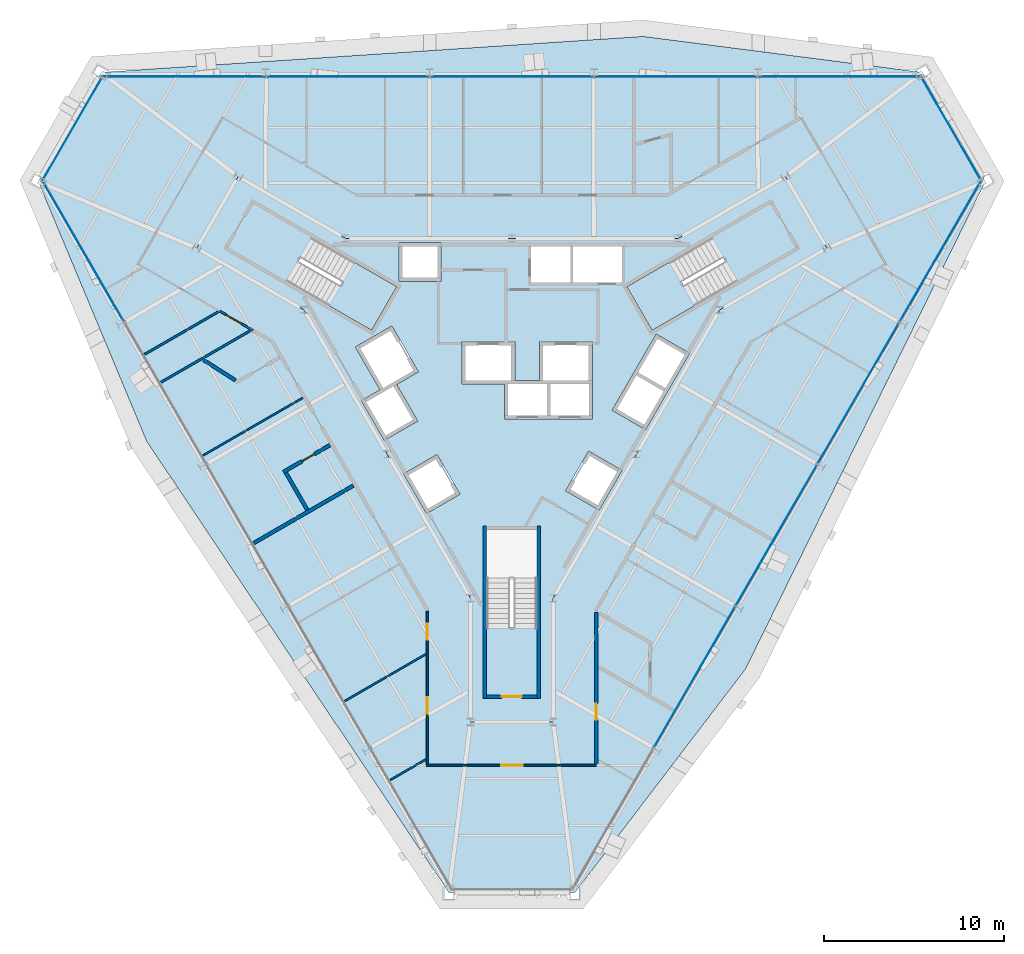
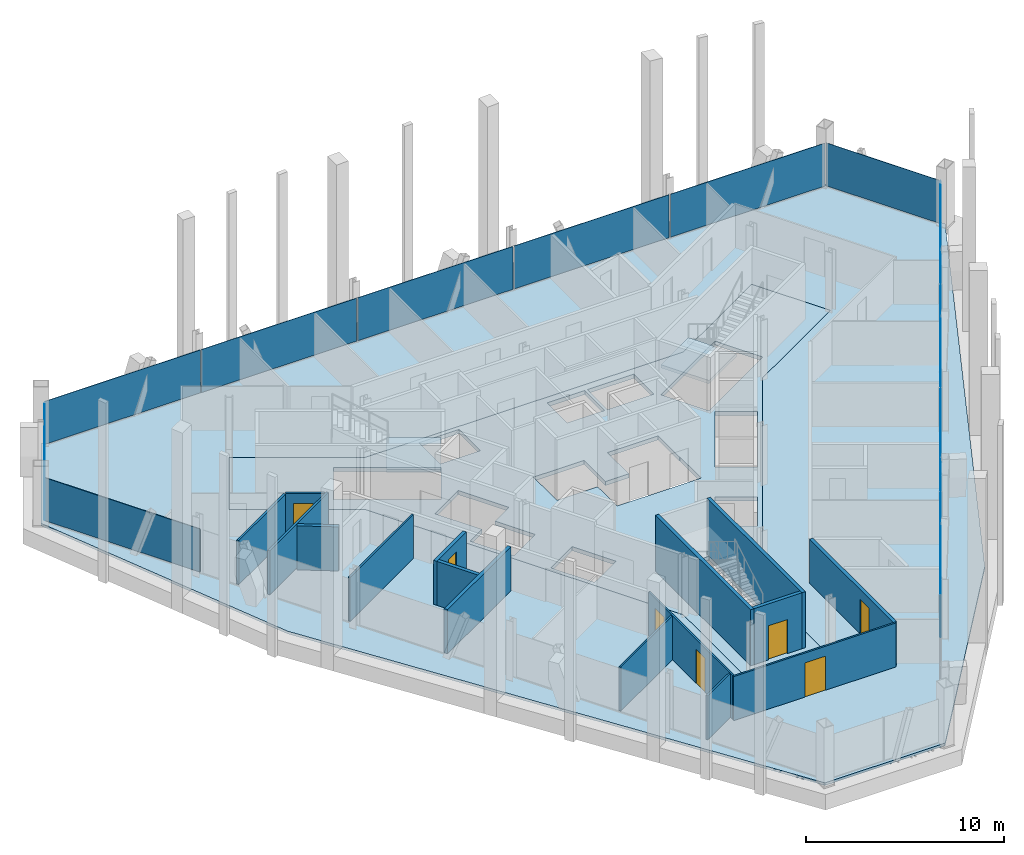
# One storey, part 10 of 16: 16 walls, 12 plates, 7 doors, 4 slabs, 7 openings, 7 elements without a shape of their own.
"""IFC4 building model written with IfcOpenShell, lengths in metres."""

from ifc_helpers import new_model, si_unit, direction, frame, frame_2d, origin, origin_2d, place, context, subcontext, project, spatial, polyline, rectangle, outline, extrude, material, layer, layer_set, type_object, element, fill, aggregate, save


model = new_model("IFC4")

# Units and contexts
model_context = context("Model", 3, precision=1e-05, world=origin(), true_north=direction((0.0, 1.0)))
body_context = subcontext(model_context, "Body", "Model", "MODEL_VIEW")
ifc_project = project(units=[si_unit("LENGTHUNIT", "METRE"), si_unit("AREAUNIT", "SQUARE_METRE"), si_unit("VOLUMEUNIT", "CUBIC_METRE"), si_unit("PLANEANGLEUNIT", "RADIAN"), si_unit("MASSUNIT", "GRAM", prefix="KILO")], contexts=[model_context])

# Site, building, storey
site_placement = place(None, origin())
site = spatial("IfcSite", under=ifc_project, at=site_placement, CompositionType="ELEMENT")
building_placement = place(site_placement, origin())
building = spatial("IfcBuilding", under=site, at=building_placement, Name="Verrane Prism Tower", CompositionType="ELEMENT")
storey_placement = place(building_placement, frame((0.0, 0.0, 247.10009765625)))
storey = spatial("IfcBuildingStorey", under=building, at=storey_placement, Name="L62", CompositionType="ELEMENT", Elevation=247.10009765625)

# Slabs
ifc_material_1 = material(Name="Concrete C35/45", Category="concrete")
ifc_layer_1 = layer(ifc_material_1, 0.159912109375)
ifc_layer_set_1 = layer_set([ifc_layer_1], Name="Composite floor slab")
slab_type_1 = type_object("IfcSlabType", Name="Composite floor slab", PredefinedType="FLOOR", material=ifc_layer_set_1)
slab_1_placement = place(storey_placement, frame((0.0, 0.0, -0.16015625)))
element("IfcSlab", 1, at=slab_1_placement, inside=storey, type_object=slab_type_1, Name="Floor slab L62", PredefinedType="FLOOR", context=body_context, shape_type="SweptSolid", body=[
    extrude(outline(polyline([(12.999755859375, -15.94384765625), (3.5029296875, -28.392578125), (-3.5029296875, -28.392578125), (-20.3076171875, -3.2861328125), (-26.340087890625, 11.16259765625), (-22.837158203125, 17.22998046875), (7.307861328125, 19.22998046875), (22.837158203125, 17.22998046875), (26.340087890625, 11.16259765625), (12.999755859375, -15.94384765625)]), holes=[polyline([(17.52001953125, 7.4599609375), (15.219970703125, 11.43994140625), (9.260009765625, 8.0), (0.0, 8.0), (-9.260009765625, 8.0), (-15.219970703125, 11.43994140625), (-17.52001953125, 7.4599609375), (-11.56005859375, 4.02001953125), (-6.929931640625, -4.0), (-2.300048828125, -12.02001953125), (-2.300048828125, -18.89990234375), (2.300048828125, -18.89990234375), (2.300048828125, -12.02001953125), (6.929931640625, -4.0), (11.56005859375, 4.02001953125), (17.52001953125, 7.4599609375)])]), origin(), (0.0, 0.0, 1.0), 0.16015625),
])
ifc_material_2 = material(Name="Concrete C40/50", Category="concrete")
ifc_layer_2 = layer(ifc_material_2, 0.25)
ifc_layer_set_2 = layer_set([ifc_layer_2], Name="Core floor slab 250 concrete C40/50")
slab_type_2 = type_object("IfcSlabType", Name="Core floor slab 250 concrete C40/50", PredefinedType="FLOOR", material=ifc_layer_set_2)
slab_2_placement = place(storey_placement, frame((0.0, 0.0, -0.25)))
element("IfcSlab", 2, at=slab_2_placement, inside=storey, type_object=slab_type_2, Name="Core floor L62", PredefinedType="FLOOR", context=body_context, shape_type="SweptSolid", body=[
    extrude(outline(polyline([(11.56005859375, 4.02001953125), (17.52001953125, 7.4599609375), (15.219970703125, 11.43994140625), (9.260009765625, 8.0), (0.0, 8.0), (-9.260009765625, 8.0), (-15.219970703125, 11.43994140625), (-17.52001953125, 7.4599609375), (-11.56005859375, 4.02001953125), (-6.929931640625, -4.0), (-2.300048828125, -12.02001953125), (-2.300048828125, -18.89990234375), (2.300048828125, -18.89990234375), (2.300048828125, -12.02001953125), (6.929931640625, -4.0), (11.56005859375, 4.02001953125)]), holes=[polyline([(1.39990234375, -8.199951171875), (1.39990234375, -13.639892578125), (-1.39990234375, -13.639892578125), (-1.39990234375, -8.199951171875), (1.39990234375, -8.199951171875)]), polyline([(-2.881103515625, -6.22998046875), (-4.742919921875, -7.304931640625), (-6.01806640625, -5.096923828125), (-4.156005859375, -4.02197265625), (-2.881103515625, -6.22998046875)]), polyline([(-7.801025390625, 2.887939453125), (-12.512939453125, 5.60791015625), (-11.113037109375, 8.031982421875), (-6.40087890625, 5.31201171875), (-7.801025390625, 2.887939453125)]), polyline([(-6.284912109375, 5.610107421875), (-6.284912109375, 7.760009765625), (-3.93505859375, 7.760009765625), (-3.93505859375, 5.610107421875), (-6.284912109375, 5.610107421875)]), polyline([(4.26611328125, -3.8310546875), (6.1279296875, -4.906005859375), (4.85302734375, -7.114990234375), (2.990966796875, -6.0400390625), (4.26611328125, -3.8310546875)]), polyline([(7.43798828125, -2.636962890625), (5.575927734375, -1.56201171875), (8.02587890625, 2.680908203125), (9.887939453125, 1.60595703125), (7.43798828125, -2.636962890625)]), polyline([(0.1650390625, 0.10009765625), (1.52490234375, 0.10009765625), (1.52490234375, 2.25), (4.47509765625, 2.25), (4.47509765625, 0.10009765625), (4.4951171875, 0.10009765625), (4.4951171875, -2.050048828125), (-0.405029296875, -2.050048828125), (-0.405029296875, -0.10009765625), (-2.784912109375, -0.10009765625), (-2.784912109375, 2.25), (0.1650390625, 2.25), (0.1650390625, 0.10009765625)]), polyline([(6.40087890625, 5.31201171875), (11.113037109375, 8.031982421875), (12.512939453125, 5.60791015625), (7.801025390625, 2.887939453125), (6.40087890625, 5.31201171875)]), polyline([(1.074951171875, 5.534912109375), (1.074951171875, 7.56005859375), (3.264892578125, 7.56005859375), (3.264892578125, 5.534912109375), (1.074951171875, 5.534912109375)]), polyline([(3.4150390625, 7.56005859375), (6.125, 7.56005859375), (6.125, 5.534912109375), (3.4150390625, 5.534912109375), (3.4150390625, 7.56005859375)]), polyline([(-5.23095703125, -2.159912109375), (-7.093017578125, -3.235107421875), (-8.367919921875, -1.02587890625), (-7.3291015625, -0.426025390625), (-8.7041015625, 1.955078125), (-6.66796875, 3.1298828125), (-5.193115234375, 0.574951171875), (-6.406005859375, -0.125), (-5.23095703125, -2.159912109375)])]), origin(), (0.0, 0.0, 1.0), 0.25),
])

# Curtain wall, plate
ifc_material_3 = material(Name="Aluminium framed insulated glazing", Category="aluminium")
curtain_wall_type_1 = type_object("IfcCurtainWallType", Name="Curtain wall CW-B 5600 module", PredefinedType="NOTDEFINED", material=ifc_material_3)
curtain_wall_1_placement = place(storey_placement, origin())
curtain_wall_1 = element("IfcCurtainWall", 3, at=curtain_wall_1_placement, inside=storey, type_object=curtain_wall_type_1, Name="Glazed curtain wall north-west corner L62", PredefinedType="NOTDEFINED")
ifc_material_4 = material(Name="Low-iron insulating glass unit", Category="glass")
ifc_layer_3 = layer(ifc_material_4, 0.028076171875)
ifc_layer_set_3 = layer_set([ifc_layer_3], Name="Glazing panel IGU 28")
plate_type_1 = type_object("IfcPlateType", Name="Glazing panel IGU 28", PredefinedType="CURTAIN_PANEL", material=ifc_layer_set_3)
plate_1_placement = place(storey_placement, frame((-24.449951171875, 14.08154296875, 0.059814453125), z_axis=(0.0, 0.0, 1.0), x_axis=(-0.49999615137, -0.866027625781, 0.0)))
plate_1 = element("IfcPlate", 4, at=plate_1_placement, type_object=plate_type_1, Name="CW62.3 panel 1", PredefinedType="CURTAIN_PANEL", context=body_context, shape_type="SweptSolid", body=[
    extrude(rectangle(XDim=6.623779296875, YDim=0.028076171875, at=origin_2d()), origin(), (0.0, 0.0, 1.0), 2.65283203125),
])
aggregate(curtain_wall_1, [plate_1])

ifc_material_5 = material(Name="Aluminium framed insulated glazing", Category="aluminium")
curtain_wall_type_2 = type_object("IfcCurtainWallType", Name="Curtain wall CW-A 8400 module", PredefinedType="NOTDEFINED", material=ifc_material_5)
curtain_wall_2_placement = place(storey_placement, origin())
curtain_wall_2 = element("IfcCurtainWall", 5, at=curtain_wall_2_placement, inside=storey, type_object=curtain_wall_type_2, Name="Glazed curtain wall north-east corner L62", PredefinedType="NOTDEFINED")
ifc_material_6 = material(Name="Low-iron insulating glass unit", Category="glass")
ifc_layer_4 = layer(ifc_material_6, 0.031982421875)
ifc_layer_set_4 = layer_set([ifc_layer_4], Name="Glazing panel IGU 32")
plate_type_2 = type_object("IfcPlateType", Name="Glazing panel IGU 32", PredefinedType="CURTAIN_PANEL", material=ifc_layer_set_4)
plate_2_placement = place(storey_placement, frame((24.41748046875, 14.137939453125, 0.06982421875), z_axis=(0.0, 0.0, 1.0), x_axis=(-0.49999615137, 0.866027625781, 0.0)))
plate_2 = element("IfcPlate", 6, at=plate_2_placement, type_object=plate_type_2, Name="CW62.1 panel 1", PredefinedType="CURTAIN_PANEL", context=body_context, shape_type="SweptSolid", body=[
    extrude(rectangle(XDim=6.61376953125, YDim=0.031982421875, at=origin_2d()), origin(), (0.0, 0.0, 1.0), 2.642822265625),
])
aggregate(curtain_wall_2, [plate_2])

# Curtain wall, plates
curtain_wall_3_placement = place(storey_placement, origin())
curtain_wall_3 = element("IfcCurtainWall", 7, at=curtain_wall_3_placement, inside=storey, type_object=curtain_wall_type_2, Name="Glazed curtain wall north face L62", PredefinedType="NOTDEFINED")
plate_3_placement = place(storey_placement, frame((18.19384765625, 17.001708984375, 0.06982421875), z_axis=(0.0, 0.0, 1.0), x_axis=(-1.0, 0.0, 0.0)))
plate_3 = element("IfcPlate", 8, at=plate_3_placement, type_object=plate_type_2, Name="CW62.2 panel 1", PredefinedType="CURTAIN_PANEL", context=body_context, shape_type="SweptSolid", body=[
    extrude(rectangle(XDim=9.000732421875, YDim=0.031982421875, at=origin_2d()), origin(), (0.0, 0.0, 1.0), 2.642822265625),
])
plate_4_placement = place(storey_placement, frame((9.105712890625, 17.001708984375, 0.06982421875), z_axis=(0.0, 0.0, 1.0), x_axis=(-1.0, 0.0, 0.0)))
plate_4 = element("IfcPlate", 9, at=plate_4_placement, type_object=plate_type_2, Name="CW62.2 panel 2", PredefinedType="CURTAIN_PANEL", context=body_context, shape_type="SweptSolid", body=[
    extrude(rectangle(XDim=9.03564453125, YDim=0.031982421875, at=origin_2d()), origin(), (0.0, 0.0, 1.0), 2.642822265625),
])
plate_5_placement = place(storey_placement, frame((0.0, 17.001708984375, 0.06982421875), z_axis=(0.0, 0.0, 1.0), x_axis=(-1.0, 0.0, 0.0)))
plate_5 = element("IfcPlate", 10, at=plate_5_placement, type_object=plate_type_2, Name="CW62.2 panel 3", PredefinedType="CURTAIN_PANEL", context=body_context, shape_type="SweptSolid", body=[
    extrude(rectangle(XDim=9.03564453125, YDim=0.031982421875, at=origin_2d()), origin(), (0.0, 0.0, 1.0), 2.642822265625),
])
plate_6_placement = place(storey_placement, frame((-9.105712890625, 17.001708984375, 0.06982421875), z_axis=(0.0, 0.0, 1.0), x_axis=(-1.0, 0.0, 0.0)))
plate_6 = element("IfcPlate", 11, at=plate_6_placement, type_object=plate_type_2, Name="CW62.2 panel 4", PredefinedType="CURTAIN_PANEL", context=body_context, shape_type="SweptSolid", body=[
    extrude(rectangle(XDim=9.03564453125, YDim=0.031982421875, at=origin_2d()), origin(), (0.0, 0.0, 1.0), 2.642822265625),
])
plate_7_placement = place(storey_placement, frame((-18.228759765625, 17.001708984375, 0.06982421875), z_axis=(0.0, 0.0, 1.0), x_axis=(-1.0, 0.0, 0.0)))
plate_7 = element("IfcPlate", 12, at=plate_7_placement, type_object=plate_type_2, Name="CW62.2 panel 5", PredefinedType="CURTAIN_PANEL", context=body_context, shape_type="SweptSolid", body=[
    extrude(rectangle(XDim=9.070556640625, YDim=0.031982421875, at=origin_2d()), origin(), (0.0, 0.0, 1.0), 2.642822265625),
])
aggregate(curtain_wall_3, [plate_3, plate_4, plate_5, plate_6, plate_7])

# Curtain wall, plate
curtain_wall_4_placement = place(storey_placement, origin())
curtain_wall_4 = element("IfcCurtainWall", 13, at=curtain_wall_4_placement, inside=storey, type_object=curtain_wall_type_2, Name="Glazed curtain wall south-west face L62", PredefinedType="NOTDEFINED")
plate_8_placement = place(storey_placement, frame((-23.82080078125, 7.25537109375, 0.06982421875), z_axis=(0.0, 0.0, 1.0), x_axis=(0.499999788753, -0.866025525748, 0.0)))
plate_8 = element("IfcPlate", 14, at=plate_8_placement, type_object=plate_type_2, Name="CW62.4 panel 1", PredefinedType="CURTAIN_PANEL", context=body_context, shape_type="SweptSolid", body=[
    extrude(rectangle(XDim=9.000732421875, YDim=0.031982421875, at=origin_2d()), origin(), (0.0, 0.0, 1.0), 2.642822265625),
])
aggregate(curtain_wall_4, [plate_8])

# Curtain wall, plates
curtain_wall_5_placement = place(storey_placement, origin())
curtain_wall_5 = element("IfcCurtainWall", 15, at=curtain_wall_5_placement, inside=storey, type_object=curtain_wall_type_2, Name="Glazed curtain wall south-east face L62", PredefinedType="NOTDEFINED")
plate_9_placement = place(storey_placement, frame((10.171142578125, -16.38671875, 0.06982421875), z_axis=(0.0, 0.0, 1.0), x_axis=(0.499999788753, 0.866025525748, 0.0)))
plate_9 = element("IfcPlate", 16, at=plate_9_placement, type_object=plate_type_2, Name="CW62.6 panel 2", PredefinedType="CURTAIN_PANEL", context=body_context, shape_type="SweptSolid", body=[
    extrude(rectangle(XDim=9.03564453125, YDim=0.031982421875, at=origin_2d()), origin(), (0.0, 0.0, 1.0), 2.642822265625),
])
plate_10_placement = place(storey_placement, frame((14.723876953125, -8.5009765625, 0.06982421875), z_axis=(0.0, 0.0, 1.0), x_axis=(0.499999788753, 0.866025525748, 0.0)))
plate_10 = element("IfcPlate", 17, at=plate_10_placement, type_object=plate_type_2, Name="CW62.6 panel 3", PredefinedType="CURTAIN_PANEL", context=body_context, shape_type="SweptSolid", body=[
    extrude(rectangle(XDim=9.03564453125, YDim=0.031982421875, at=origin_2d()), origin(), (0.0, 0.0, 1.0), 2.642822265625),
])
plate_11_placement = place(storey_placement, frame((19.27685546875, -0.615234375, 0.06982421875), z_axis=(0.0, 0.0, 1.0), x_axis=(0.499999788753, 0.866025525748, 0.0)))
plate_11 = element("IfcPlate", 18, at=plate_11_placement, type_object=plate_type_2, Name="CW62.6 panel 4", PredefinedType="CURTAIN_PANEL", context=body_context, shape_type="SweptSolid", body=[
    extrude(rectangle(XDim=9.03564453125, YDim=0.031982421875, at=origin_2d()), origin(), (0.0, 0.0, 1.0), 2.642822265625),
])
plate_12_placement = place(storey_placement, frame((23.83837890625, 7.28564453125, 0.06982421875), z_axis=(0.0, 0.0, 1.0), x_axis=(0.499999788753, 0.866025525748, 0.0)))
plate_12 = element("IfcPlate", 19, at=plate_12_placement, type_object=plate_type_2, Name="CW62.6 panel 5", PredefinedType="CURTAIN_PANEL", context=body_context, shape_type="SweptSolid", body=[
    extrude(rectangle(XDim=9.070556640625, YDim=0.031982421875, at=origin_2d()), origin(), (0.0, 0.0, 1.0), 2.642822265625),
])
aggregate(curtain_wall_5, [plate_9, plate_10, plate_11, plate_12])

# Stair, slab
ifc_material_7 = material(Name="Concrete C40/50", Category="concrete")
stair_type = type_object("IfcStairType", Name="Exit stair 1300 dog-leg precast concrete C40/50", PredefinedType="HALF_TURN_STAIR", material=ifc_material_7)
stair_1_placement = place(storey_placement, origin())
stair_1 = element("IfcStair", 20, at=stair_1_placement, inside=storey, type_object=stair_type, Name="Stair 1 L62", PredefinedType="HALF_TURN_STAIR")
ifc_material_8 = material(Name="Concrete C40/50", Category="concrete")
ifc_layer_5 = layer(ifc_material_8, 0.199951171875)
ifc_layer_set_5 = layer_set([ifc_layer_5], Name="Stair landing 200 precast concrete C40/50")
slab_type_3 = type_object("IfcSlabType", Name="Stair landing 200 precast concrete C40/50", PredefinedType="LANDING", material=ifc_layer_set_5)
slab_3_placement = place(storey_placement, frame((0.0, 0.0, 1.64990234375)))
slab_3 = element("IfcSlab", 21, at=slab_3_placement, type_object=slab_type_3, Name="Stair 1 landing 1", PredefinedType="LANDING", context=body_context, shape_type="SweptSolid", body=[
    extrude(outline(polyline([(8.791748046875, 6.6923828125), (6.4013671875, 5.3125), (7.801513671875, 2.887451171875), (10.191650390625, 4.267578125), (8.791748046875, 6.6923828125)])), origin(), (0.0, 0.0, 1.0), 0.199951171875),
])
aggregate(stair_1, [slab_3])

stair_2_placement = place(storey_placement, origin())
stair_2 = element("IfcStair", 22, at=stair_2_placement, inside=storey, type_object=stair_type, Name="Stair 2 L62", PredefinedType="HALF_TURN_STAIR")
slab_4_placement = place(storey_placement, frame((0.0, 0.0, 1.64990234375)))
slab_4 = element("IfcSlab", 23, at=slab_4_placement, type_object=slab_type_3, Name="Stair 2 landing 1", PredefinedType="LANDING", context=body_context, shape_type="SweptSolid", body=[
    extrude(outline(polyline([(-10.191650390625, 4.267578125), (-7.801513671875, 2.887451171875), (-6.4013671875, 5.3125), (-8.791748046875, 6.6923828125), (-10.191650390625, 4.267578125)])), origin(), (0.0, 0.0, 1.0), 0.199951171875),
])
aggregate(stair_2, [slab_4])

# Wall, opening, door
ifc_material_9 = material(Name="Concrete C40/50", Category="concrete")
ifc_layer_6 = layer(ifc_material_9, 0.199951171875)
ifc_layer_set_6 = layer_set([ifc_layer_6], Name="CW-200 stair core wall concrete C40/50 3 h")
wall_type_1 = type_object("IfcWallType", Name="CW-200 stair core wall concrete C40/50 3 h", PredefinedType="PARTITIONING", material=ifc_layer_set_6)
wall_1_placement = place(storey_placement, frame((-1.39990234375, -17.5, 0.0), z_axis=(0.0, 0.0, 1.0), x_axis=(1.0, 0.0, 0.0)))
wall_1 = element("IfcWall", 24, at=wall_1_placement, inside=storey, type_object=wall_type_1, Name="Stair 3 enclosure wall", PredefinedType="PARTITIONING", context=body_context, shape_type="SweptSolid", body=[
    extrude(rectangle(XDim=2.7998046875, YDim=0.199951171875, at=frame_2d((1.39990234375, 0.0))), origin(), (0.0, 0.0, 1.0), 3.449951171875),
])
opening_1_placement = place(wall_1_placement, frame((0.85009765625, 0.0, 0.0)))
opening_1 = element("IfcOpeningElement", 25, at=opening_1_placement, cuts=wall_1, Name="Opening D62502", PredefinedType="OPENING", context=body_context, shape_type="SweptSolid", body=[
    extrude(rectangle(XDim=1.10009765625, YDim=2.10009765625, at=frame_2d((0.550048828125, 1.050048828125))), frame((0.0, 0.10986328125, 0.0), z_axis=(0.0, -1.0, 0.0), x_axis=(1.0, 0.0, 0.0)), (0.0, 0.0, 1.0), 0.219970703125),
])
ifc_material_10 = material(Name="Timber veneered door leaf", Category="wood")
door_type_1 = type_object("IfcDoorType", Name="DR-1100x2100 FD90 single leaf stair", OperationType="NOTDEFINED", PredefinedType="DOOR", material=ifc_material_10)
door_1_placement = place(opening_1_placement, origin())
door_1 = element("IfcDoor", 26, at=door_1_placement, inside=storey, type_object=door_type_1, Name="Stair 3 door", OperationType="SINGLE_SWING_LEFT", OverallHeight=2.10009765625, OverallWidth=1.10009765625, PredefinedType="DOOR", context=body_context, shape_type="SweptSolid", body=[
    extrude(rectangle(XDim=1.10009765625, YDim=2.10009765625, at=frame_2d((0.550048828125, 1.050048828125))), frame((0.0, 0.02490234375, 0.0), z_axis=(0.0, -1.0, 0.0), x_axis=(1.0, 0.0, 0.0)), (0.0, 0.0, 1.0), 0.050048828125),
])
fill(opening_1, door_1)

# Walls
for number, where, z_axis, x_axis, name in (
    (27, (1.5, -8.0, 0.0), (0.0, 0.0, 1.0), (0.0, -1.0, 0.0), "Stair 3 enclosure wall"),
    (28, (-1.5, -8.0, 0.0), (0.0, 0.0, 1.0), (0.0, -1.0, 0.0), "Stair 3 enclosure wall"),
):
    element("IfcWall", number, at=place(storey_placement, frame(where, z_axis=z_axis, x_axis=x_axis)), inside=storey, type_object=wall_type_1, Name=name, PredefinedType="PARTITIONING", context=body_context, shape_type="SweptSolid", body=[
        extrude(rectangle(XDim=9.60009765625, YDim=0.199951171875, at=frame_2d((4.800048828125, 0.0))), origin(), (0.0, 0.0, 1.0), 3.449951171875),
    ])
ifc_material_11 = material(Name="Gypsum board partition", Category="other")
ifc_layer_7 = layer(ifc_material_11, 0.10009765625)
ifc_layer_set_7 = layer_set([ifc_layer_7], Name="PW-100 room partition")
wall_type_2 = type_object("IfcWallType", Name="PW-100 room partition", PredefinedType="PARTITIONING", material=ifc_layer_set_7)
wall_2_placement = place(storey_placement, frame((-17.1708984375, -4.071044921875, 0.0), z_axis=(0.0, 0.0, 1.0), x_axis=(0.865973383125, 0.500090091603, 0.0)))
element("IfcWall", 29, at=wall_2_placement, inside=storey, type_object=wall_type_2, Name="Room partition 007", PredefinedType="PARTITIONING", context=body_context, shape_type="SweptSolid", body=[
    extrude(rectangle(XDim=6.399658203125, YDim=0.10009765625, at=frame_2d((3.19970703125, 0.0))), origin(), (0.0, 0.0, 1.0), 2.712890625),
])
wall_3_placement = place(storey_placement, frame((-9.2861328125, -17.727294921875, 0.0), z_axis=(0.0, 0.0, 1.0), x_axis=(0.865990461678, 0.50006051662, 0.0)))
element("IfcWall", 30, at=wall_3_placement, inside=storey, type_object=wall_type_2, Name="Room partition 020", PredefinedType="PARTITIONING", context=body_context, shape_type="SweptSolid", body=[
    extrude(rectangle(XDim=5.209228515625, YDim=0.10009765625, at=frame_2d((2.6044921875, 0.0))), origin(), (0.0, 0.0, 1.0), 2.712890625),
])
wall_4_placement = place(storey_placement, frame((-6.751953125, -22.1162109375, 0.0), z_axis=(0.0, 0.0, 1.0), x_axis=(0.866135723987, 0.499808871103, 0.0)))
element("IfcWall", 31, at=wall_4_placement, inside=storey, type_object=wall_type_2, Name="Room partition 023", PredefinedType="PARTITIONING", context=body_context, shape_type="SweptSolid", body=[
    extrude(rectangle(XDim=2.28271484375, YDim=0.10009765625, at=frame_2d((1.141357421875, 0.0))), origin(), (0.0, 0.0, 1.0), 2.712890625),
])

# Wall, openings, doors
wall_5_placement = place(storey_placement, frame((-4.699951171875, -21.25, 0.0), z_axis=(0.0, 0.0, 1.0), x_axis=(0.0, 1.0, 0.0)))
wall_5 = element("IfcWall", 32, at=wall_5_placement, inside=storey, type_object=wall_type_2, Name="Room partition 024", PredefinedType="PARTITIONING", context=body_context, shape_type="SweptSolid", body=[
    extrude(rectangle(XDim=8.501953125, YDim=0.10009765625, at=frame_2d((4.2509765625, 0.0))), origin(), (0.0, 0.0, 1.0), 2.712890625),
])
opening_2_placement = place(wall_5_placement, frame((6.9208984375, 0.0, 0.0)))
opening_2 = element("IfcOpeningElement", 33, at=opening_2_placement, cuts=wall_5, Name="Opening D62024", PredefinedType="OPENING", context=body_context, shape_type="SweptSolid", body=[
    extrude(rectangle(XDim=0.89990234375, YDim=2.10009765625, at=frame_2d((0.449951171875, 1.050048828125))), frame((0.0, 0.06005859375, 0.0), z_axis=(0.0, -1.0, 0.0), x_axis=(1.0, 0.0, 0.0)), (0.0, 0.0, 1.0), 0.1201171875),
])
opening_3_placement = place(wall_5_placement, frame((2.818115234375, 0.0, 0.0)))
opening_3 = element("IfcOpeningElement", 34, at=opening_3_placement, cuts=wall_5, Name="Opening D62025", PredefinedType="OPENING", context=body_context, shape_type="SweptSolid", body=[
    extrude(rectangle(XDim=0.89990234375, YDim=2.10009765625, at=frame_2d((0.449951171875, 1.050048828125))), frame((0.0, 0.06005859375, 0.0), z_axis=(0.0, -1.0, 0.0), x_axis=(1.0, 0.0, 0.0)), (0.0, 0.0, 1.0), 0.1201171875),
])
ifc_material_12 = material(Name="Timber veneered door leaf", Category="wood")
door_type_2 = type_object("IfcDoorType", Name="DR-900x2100 single leaf unit", OperationType="NOTDEFINED", PredefinedType="DOOR", material=ifc_material_12)
door_2_placement = place(opening_2_placement, origin())
door_2 = element("IfcDoor", 35, at=door_2_placement, inside=storey, type_object=door_type_2, Name="Study door", OperationType="SINGLE_SWING_RIGHT", OverallHeight=2.10009765625, OverallWidth=0.89990234375, PredefinedType="DOOR", context=body_context, shape_type="SweptSolid", body=[
    extrude(rectangle(XDim=0.89990234375, YDim=2.10009765625, at=frame_2d((0.449951171875, 1.050048828125))), frame((0.0, 0.02490234375, 0.0), z_axis=(0.0, -1.0, 0.0), x_axis=(1.0, 0.0, 0.0)), (0.0, 0.0, 1.0), 0.050048828125),
])
fill(opening_2, door_2)
door_3_placement = place(opening_3_placement, origin())
door_3 = element("IfcDoor", 36, at=door_3_placement, inside=storey, type_object=door_type_2, Name="Study door", OperationType="SINGLE_SWING_LEFT", OverallHeight=2.10009765625, OverallWidth=0.89990234375, PredefinedType="DOOR", context=body_context, shape_type="SweptSolid", body=[
    extrude(rectangle(XDim=0.89990234375, YDim=2.10009765625, at=frame_2d((0.449951171875, 1.050048828125))), frame((0.0, 0.02490234375, 0.0), z_axis=(0.0, -1.0, 0.0), x_axis=(1.0, 0.0, 0.0)), (0.0, 0.0, 1.0), 0.050048828125),
])
fill(opening_3, door_3)

# Wall, opening, door
wall_6_placement = place(storey_placement, frame((4.699951171875, -21.300048828125, 0.0), z_axis=(0.0, 0.0, 1.0), x_axis=(-1.0, 0.0, 0.0)))
wall_6 = element("IfcWall", 37, at=wall_6_placement, inside=storey, type_object=wall_type_2, Name="Room partition 025", PredefinedType="PARTITIONING", context=body_context, shape_type="SweptSolid", body=[
    extrude(rectangle(XDim=9.449951171875, YDim=0.10009765625, at=frame_2d((4.72509765625, 0.0))), origin(), (0.0, 0.0, 1.0), 2.712890625),
])
opening_4_placement = place(wall_6_placement, frame((4.10009765625, 0.0, 0.0)))
opening_4 = element("IfcOpeningElement", 38, at=opening_4_placement, cuts=wall_6, Name="Opening D62026", PredefinedType="OPENING", context=body_context, shape_type="SweptSolid", body=[
    extrude(rectangle(XDim=1.199951171875, YDim=2.10009765625, at=frame_2d((0.60009765625, 1.050048828125))), frame((0.0, 0.06005859375, 0.0), z_axis=(0.0, -1.0, 0.0), x_axis=(1.0, 0.0, 0.0)), (0.0, 0.0, 1.0), 0.1201171875),
])
ifc_material_13 = material(Name="Timber veneered door leaf", Category="wood")
door_type_3 = type_object("IfcDoorType", Name="DR-1200x2100 single leaf unit", OperationType="NOTDEFINED", PredefinedType="DOOR", material=ifc_material_13)
door_4_placement = place(opening_4_placement, origin())
door_4 = element("IfcDoor", 39, at=door_4_placement, inside=storey, type_object=door_type_3, Name="Living And Dining Room door", OperationType="SINGLE_SWING_LEFT", OverallHeight=2.10009765625, OverallWidth=1.199951171875, PredefinedType="DOOR", context=body_context, shape_type="SweptSolid", body=[
    extrude(rectangle(XDim=1.199951171875, YDim=2.10009765625, at=frame_2d((0.60009765625, 1.050048828125))), frame((0.0, 0.02490234375, 0.0), z_axis=(0.0, -1.0, 0.0), x_axis=(1.0, 0.0, 0.0)), (0.0, 0.0, 1.0), 0.050048828125),
])
fill(opening_4, door_4)

# Walls
ifc_material_14 = material(Name="Gypsum board partition", Category="other")
ifc_layer_8 = layer(ifc_material_14, 0.125)
ifc_layer_set_8 = layer_set([ifc_layer_8], Name="PW-125 corridor wall 1 h")
wall_type_3 = type_object("IfcWallType", Name="PW-125 corridor wall 1 h", PredefinedType="PARTITIONING", material=ifc_layer_set_8)
wall_7_placement = place(storey_placement, frame((-20.41796875, 1.552978515625, 0.0), z_axis=(0.0, 0.0, 1.0), x_axis=(0.8660976733, 0.49987480463, 0.0)))
element("IfcWall", 40, at=wall_7_placement, inside=storey, type_object=wall_type_3, Name="Corridor wall 004", PredefinedType="PARTITIONING", context=body_context, shape_type="SweptSolid", body=[
    extrude(rectangle(XDim=4.716552734375, YDim=0.125, at=frame_2d((2.3583984375, 0.0))), origin(), (0.0, 0.0, 1.0), 2.712890625),
])
wall_8_placement = place(storey_placement, frame((-19.517822265625, -0.006103515625, 0.0), z_axis=(0.0, 0.0, 1.0), x_axis=(0.866072118736, 0.499919078599, 0.0)))
element("IfcWall", 41, at=wall_8_placement, inside=storey, type_object=wall_type_3, Name="Corridor wall 005", PredefinedType="PARTITIONING", context=body_context, shape_type="SweptSolid", body=[
    extrude(rectangle(XDim=5.91162109375, YDim=0.125, at=frame_2d((2.955810546875, 0.0))), origin(), (0.0, 0.0, 1.0), 2.712890625),
])

# Wall, opening, door
wall_9_placement = place(storey_placement, frame((-16.2529296875, 3.95703125, 0.0), z_axis=(0.0, 0.0, 1.0), x_axis=(0.866173232673, -0.499743865396, 0.0)))
wall_9 = element("IfcWall", 42, at=wall_9_placement, inside=storey, type_object=wall_type_3, Name="Corridor wall 008", PredefinedType="PARTITIONING", context=body_context, shape_type="SweptSolid", body=[
    extrude(rectangle(XDim=1.97412109375, YDim=0.125, at=frame_2d((0.987060546875, 0.0))), origin(), (0.0, 0.0, 1.0), 2.712890625),
])
opening_5_placement = place(wall_9_placement, frame((0.39990234375, 0.0, 0.0)))
opening_5 = element("IfcOpeningElement", 43, at=opening_5_placement, cuts=wall_9, Name="Opening D62027", PredefinedType="OPENING", context=body_context, shape_type="SweptSolid", body=[
    extrude(rectangle(XDim=1.0, YDim=2.10009765625, at=frame_2d((0.5, 1.050048828125))), frame((0.0, 0.072509765625, 0.0), z_axis=(0.0, -1.0, 0.0), x_axis=(1.0, 0.0, 0.0)), (0.0, 0.0, 1.0), 0.14501953125),
])
ifc_material_15 = material(Name="Timber veneered door leaf", Category="wood")
door_type_4 = type_object("IfcDoorType", Name="DR-1000x2100 FD20 single leaf unit", OperationType="NOTDEFINED", PredefinedType="DOOR", material=ifc_material_15)
door_5_placement = place(opening_5_placement, origin())
door_5 = element("IfcDoor", 44, at=door_5_placement, inside=storey, type_object=door_type_4, Name="Entrance Hall door", OperationType="SINGLE_SWING_LEFT", OverallHeight=2.10009765625, OverallWidth=1.0, PredefinedType="DOOR", context=body_context, shape_type="SweptSolid", body=[
    extrude(rectangle(XDim=1.0, YDim=2.10009765625, at=frame_2d((0.5, 1.050048828125))), frame((0.0, 0.02490234375, 0.0), z_axis=(0.0, -1.0, 0.0), x_axis=(1.0, 0.0, 0.0)), (0.0, 0.0, 1.0), 0.050048828125),
])
fill(opening_5, door_5)

# Walls
ifc_material_16 = material(Name="Gypsum board partition", Category="other")
ifc_layer_9 = layer(ifc_material_16, 0.199951171875)
ifc_layer_set_9 = layer_set([ifc_layer_9], Name="PW-200 plumbing wall")
wall_type_4 = type_object("IfcWallType", Name="PW-200 plumbing wall", PredefinedType="PARTITIONING", material=ifc_layer_set_9)
wall_10_placement = place(storey_placement, frame((-17.14892578125, 1.236083984375, 0.0), z_axis=(0.0, 0.0, 1.0), x_axis=(0.842376529327, -0.538889397593, 0.0)))
element("IfcWall", 45, at=wall_10_placement, inside=storey, type_object=wall_type_4, Name="Plumbing wall 006", PredefinedType="PARTITIONING", context=body_context, shape_type="SweptSolid", body=[
    extrude(rectangle(XDim=2.1083984375, YDim=0.199951171875, at=frame_2d((1.05419921875, 0.0))), origin(), (0.0, 0.0, 1.0), 2.712890625),
])
wall_11_placement = place(storey_placement, frame((-14.35498046875, -8.947998046875, 0.0), z_axis=(0.0, 0.0, 1.0), x_axis=(0.866039463868, 0.499975646431, 0.0)))
element("IfcWall", 46, at=wall_11_placement, inside=storey, type_object=wall_type_4, Name="Plumbing wall 012", PredefinedType="PARTITIONING", context=body_context, shape_type="SweptSolid", body=[
    extrude(rectangle(XDim=6.399169921875, YDim=0.199951171875, at=frame_2d((3.19970703125, 0.0))), origin(), (0.0, 0.0, 1.0), 2.712890625),
])
wall_12_placement = place(storey_placement, frame((-12.570068359375, -5.030517578125, 0.0), z_axis=(0.0, 0.0, 1.0), x_axis=(0.499943030081, -0.866058292884, 0.0)))
element("IfcWall", 47, at=wall_12_placement, inside=storey, type_object=wall_type_4, Name="Plumbing wall 014", PredefinedType="PARTITIONING", context=body_context, shape_type="SweptSolid", body=[
    extrude(rectangle(XDim=2.395263671875, YDim=0.199951171875, at=frame_2d((1.19775390625, 0.0))), origin(), (0.0, 0.0, 1.0), 2.712890625),
])

# Wall, opening, door
wall_13_placement = place(storey_placement, frame((-10.113037109375, -3.49658203125, 0.0), z_axis=(0.0, 0.0, 1.0), x_axis=(-0.866032178313, -0.499988265988, 0.0)))
wall_13 = element("IfcWall", 48, at=wall_13_placement, inside=storey, type_object=wall_type_4, Name="Plumbing wall 015", PredefinedType="PARTITIONING", context=body_context, shape_type="SweptSolid", body=[
    extrude(rectangle(XDim=2.99462890625, YDim=0.199951171875, at=frame_2d((1.497314453125, 0.0))), origin(), (0.0, 0.0, 1.0), 2.712890625),
])
opening_6_placement = place(wall_13_placement, frame((0.994873046875, 0.0, 0.0)))
opening_6 = element("IfcOpeningElement", 49, at=opening_6_placement, cuts=wall_13, Name="Opening D62022", PredefinedType="OPENING", context=body_context, shape_type="SweptSolid", body=[
    extrude(rectangle(XDim=0.800048828125, YDim=2.10009765625, at=frame_2d((0.39990234375, 1.050048828125))), frame((0.0, 0.10986328125, 0.0), z_axis=(0.0, -1.0, 0.0), x_axis=(1.0, 0.0, 0.0)), (0.0, 0.0, 1.0), 0.219970703125),
])
ifc_material_17 = material(Name="Timber veneered door leaf", Category="wood")
door_type_5 = type_object("IfcDoorType", Name="DR-800x2100 single leaf bath", OperationType="NOTDEFINED", PredefinedType="DOOR", material=ifc_material_17)
door_6_placement = place(opening_6_placement, origin())
door_6 = element("IfcDoor", 50, at=door_6_placement, inside=storey, type_object=door_type_5, Name="Master Bathroom door", OperationType="SINGLE_SWING_LEFT", OverallHeight=2.10009765625, OverallWidth=0.800048828125, PredefinedType="DOOR", context=body_context, shape_type="SweptSolid", body=[
    extrude(rectangle(XDim=0.800048828125, YDim=2.10009765625, at=frame_2d((0.39990234375, 1.050048828125))), frame((0.0, 0.02490234375, 0.0), z_axis=(0.0, -1.0, 0.0), x_axis=(1.0, 0.0, 0.0)), (0.0, 0.0, 1.0), 0.050048828125),
])
fill(opening_6, door_6)

wall_14_placement = place(storey_placement, frame((4.699951171875, -12.798095703125, 0.0), z_axis=(0.0, 0.0, 1.0), x_axis=(0.0, -1.0, 0.0)))
wall_14 = element("IfcWall", 51, at=wall_14_placement, inside=storey, type_object=wall_type_4, Name="Plumbing wall 028", PredefinedType="PARTITIONING", context=body_context, shape_type="SweptSolid", body=[
    extrude(rectangle(XDim=8.451904296875, YDim=0.199951171875, at=frame_2d((4.22607421875, 0.0))), origin(), (0.0, 0.0, 1.0), 2.712890625),
])
opening_7_placement = place(wall_14_placement, frame((5.083984375, 0.0, 0.0)))
opening_7 = element("IfcOpeningElement", 52, at=opening_7_placement, cuts=wall_14, Name="Opening D62001", PredefinedType="OPENING", context=body_context, shape_type="SweptSolid", body=[
    extrude(rectangle(XDim=0.89990234375, YDim=2.10009765625, at=frame_2d((0.449951171875, 1.050048828125))), frame((0.0, 0.10986328125, 0.0), z_axis=(0.0, -1.0, 0.0), x_axis=(1.0, 0.0, 0.0)), (0.0, 0.0, 1.0), 0.219970703125),
])
door_7_placement = place(opening_7_placement, origin())
door_7 = element("IfcDoor", 53, at=door_7_placement, inside=storey, type_object=door_type_2, Name="Kitchen door", OperationType="SINGLE_SWING_RIGHT", OverallHeight=2.10009765625, OverallWidth=0.89990234375, PredefinedType="DOOR", context=body_context, shape_type="SweptSolid", body=[
    extrude(rectangle(XDim=0.89990234375, YDim=2.10009765625, at=frame_2d((0.449951171875, 1.050048828125))), frame((0.0, 0.02490234375, 0.0), z_axis=(0.0, -1.0, 0.0), x_axis=(1.0, 0.0, 0.0)), (0.0, 0.0, 1.0), 0.050048828125),
])
fill(opening_7, door_7)

save(model, "model.ifc")
